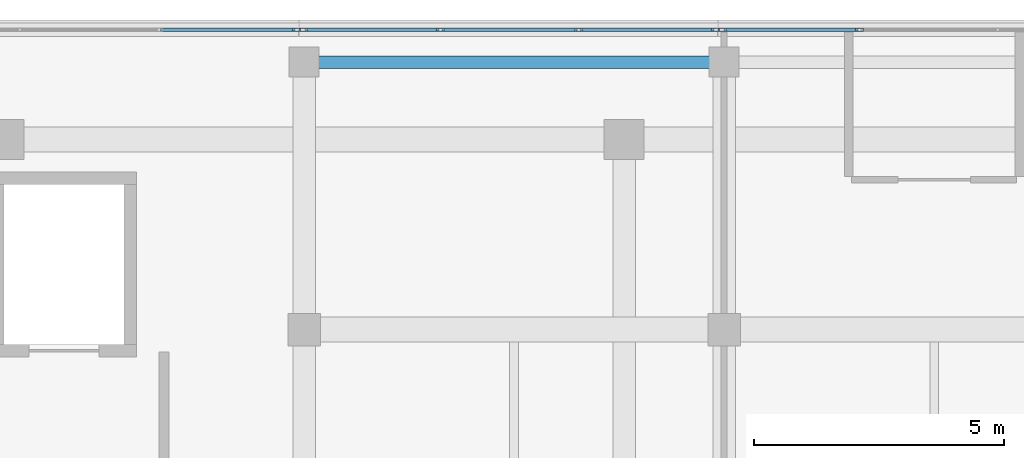
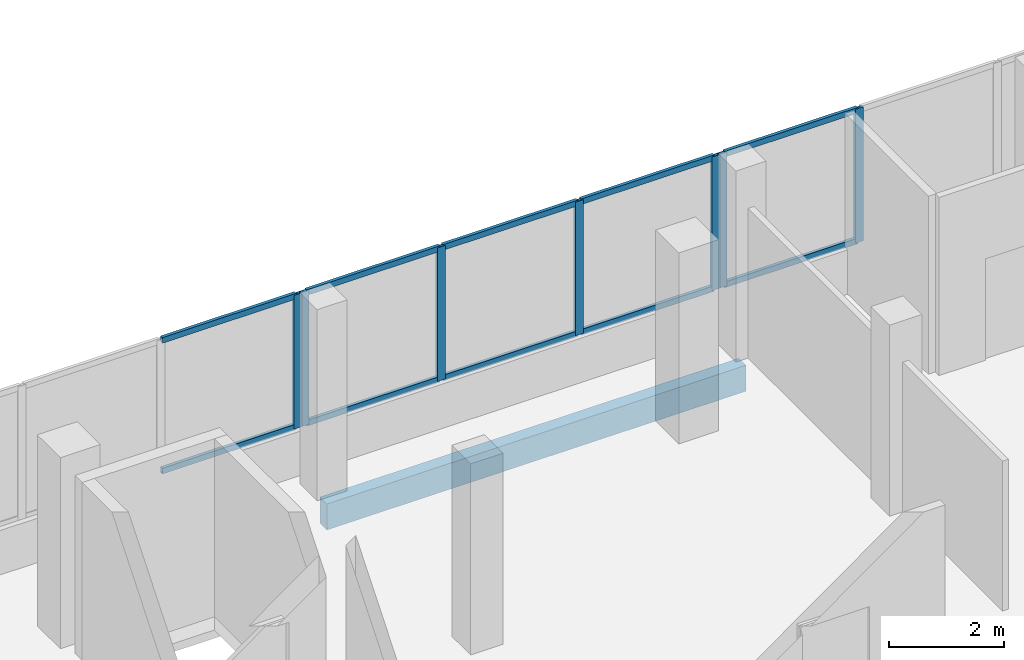
# One storey, part 29 of 78: 17 members, 1 beam, 3 elements without a shape of their own.
"""IFC4 building model written with IfcOpenShell, lengths in metres."""

from ifc_helpers import new_model, si_unit, direction, frame, origin, origin_2d, place, context, subcontext, project, spatial, rectangle, hollow_rectangle, extrude, material, material_profile, profile_set, type_object, element, aggregate, save


model = new_model("IFC4")

# Units and contexts
model_context = context("Model", 3, precision=1e-05, world=origin(), true_north=direction((0.0, 1.0)))
body_context = subcontext(model_context, "Body", "Model", "MODEL_VIEW")
ifc_project = project(units=[si_unit("LENGTHUNIT", "METRE"), si_unit("AREAUNIT", "SQUARE_METRE"), si_unit("VOLUMEUNIT", "CUBIC_METRE"), si_unit("PLANEANGLEUNIT", "RADIAN"), si_unit("MASSUNIT", "GRAM", prefix="KILO")], contexts=[model_context])

# Site, building, storey
site_placement = place(None, origin())
site = spatial("IfcSite", under=ifc_project, at=site_placement, CompositionType="ELEMENT")
building_placement = place(site_placement, origin())
building = spatial("IfcBuilding", under=site, at=building_placement, Name="Selatvlak General Hospital", CompositionType="ELEMENT")
storey_placement = place(building_placement, frame((0.0, 0.0, 23.25)))
storey = spatial("IfcBuildingStorey", under=building, at=storey_placement, Name="L05", CompositionType="ELEMENT", Elevation=23.25)

# Beam
ifc_material_1 = material(Name="Concrete C40/50", Category="concrete")
ifc_material_profile_1 = material_profile(ifc_material_1, rectangle(XDim=0.25, YDim=0.550048828125, at=origin_2d()), Name="RC-SP 250x550")
ifc_profile_set_1 = profile_set([ifc_material_profile_1], Name="Concrete C40/50")
beam_type = type_object("IfcBeamType", Name="BM-SP2", PredefinedType="SPANDREL", material=ifc_profile_set_1)
beam_placement = place(storey_placement, frame((64.800048828125, 119.35009765625, -0.554931640625), z_axis=(1.0, 0.0, 0.0), x_axis=(0.0, 1.0, 0.0)))
element("IfcBeam", 1, at=beam_placement, inside=storey, type_object=beam_type, Name="Beam BMR-L05-1977", PredefinedType="SPANDREL", context=body_context, shape_type="SweptSolid", body=[
    extrude(rectangle(XDim=0.25, YDim=0.550048828125, at=origin_2d()), origin(), (0.0, 0.0, 1.0), 8.39990234375),
])

# Curtain wall, member
ifc_material_2 = material(Name="Solar-control Low-E double glazing", Category="glass")
curtain_wall_type_1 = type_object("IfcCurtainWallType", Name="CW-CW-01", PredefinedType="USERDEFINED", material=ifc_material_2)
curtain_wall_1_placement = place(storey_placement, origin())
curtain_wall_1 = element("IfcCurtainWall", 2, at=curtain_wall_1_placement, inside=storey, type_object=curtain_wall_type_1, Name="Glazed facade curtain wall CW-L05-0551", ObjectType="UNITISED CURTAIN WALL", PredefinedType="USERDEFINED")
ifc_material_3 = material(Name="Dark anodised aluminium mullion", Category="aluminium")
ifc_material_profile_2 = material_profile(ifc_material_3, hollow_rectangle(XDim=0.06494140625, YDim=0.159912109375, WallThickness=0.00390625, at=origin_2d()), Name="AL-MUL 65x160x4")
ifc_profile_set_2 = profile_set([ifc_material_profile_2], Name="Dark anodised aluminium mullion")
member_type_1 = type_object("IfcMemberType", Name="CWM-01", PredefinedType="MULLION", material=ifc_profile_set_2)
member_1_placement = place(storey_placement, frame((64.646484375, 119.9990234375, 0.93994140625), z_axis=(0.0, 0.0, 1.0), x_axis=(0.0, 1.0, 0.0)))
member_1 = element("IfcMember", 3, at=member_1_placement, type_object=member_type_1, Name="CW-01 mullion 4", PredefinedType="MULLION", context=body_context, shape_type="SweptSolid", body=[
    extrude(hollow_rectangle(XDim=0.06494140625, YDim=0.159912109375, WallThickness=0.00390625, at=origin_2d()), origin(), (0.0, 0.0, 1.0), 2.8349609375),
])

# Curtain wall, members
curtain_wall_type_2 = type_object("IfcCurtainWallType", Name="CW-CW-02", PredefinedType="USERDEFINED", material=ifc_material_2)
curtain_wall_2_placement = place(storey_placement, origin())
curtain_wall_2 = element("IfcCurtainWall", 4, at=curtain_wall_2_placement, inside=storey, type_object=curtain_wall_type_2, Name="Glazed facade curtain wall CW-L05-0552", ObjectType="UNITISED CURTAIN WALL", PredefinedType="USERDEFINED")
member_2_placement = place(storey_placement, frame((64.79150390625, 119.9990234375, 0.93994140625), z_axis=(0.0, 0.0, 1.0), x_axis=(0.0, 1.0, 0.0)))
member_2 = element("IfcMember", 5, at=member_2_placement, type_object=member_type_1, Name="CW-02 mullion 1", PredefinedType="MULLION", context=body_context, shape_type="SweptSolid", body=[
    extrude(hollow_rectangle(XDim=0.06494140625, YDim=0.159912109375, WallThickness=0.00390625, at=origin_2d()), origin(), (0.0, 0.0, 1.0), 2.8349609375),
])
member_3_placement = place(storey_placement, frame((67.525390625, 119.9990234375, 0.93994140625), z_axis=(0.0, 0.0, 1.0), x_axis=(0.0, 1.0, 0.0)))
member_3 = element("IfcMember", 6, at=member_3_placement, type_object=member_type_1, Name="CW-02 mullion 2", PredefinedType="MULLION", context=body_context, shape_type="SweptSolid", body=[
    extrude(hollow_rectangle(XDim=0.06494140625, YDim=0.159912109375, WallThickness=0.00390625, at=origin_2d()), origin(), (0.0, 0.0, 1.0), 2.8349609375),
])
member_4_placement = place(storey_placement, frame((70.291748046875, 119.9990234375, 0.93994140625), z_axis=(0.0, 0.0, 1.0), x_axis=(0.0, 1.0, 0.0)))
member_4 = element("IfcMember", 7, at=member_4_placement, type_object=member_type_1, Name="CW-02 mullion 3", PredefinedType="MULLION", context=body_context, shape_type="SweptSolid", body=[
    extrude(hollow_rectangle(XDim=0.06494140625, YDim=0.159912109375, WallThickness=0.00390625, at=origin_2d()), origin(), (0.0, 0.0, 1.0), 2.8349609375),
])
member_5_placement = place(storey_placement, frame((73.025390625, 119.9990234375, 0.93994140625), z_axis=(0.0, 0.0, 1.0), x_axis=(0.0, 1.0, 0.0)))
member_5 = element("IfcMember", 8, at=member_5_placement, type_object=member_type_1, Name="CW-02 mullion 4", PredefinedType="MULLION", context=body_context, shape_type="SweptSolid", body=[
    extrude(hollow_rectangle(XDim=0.06494140625, YDim=0.159912109375, WallThickness=0.00390625, at=origin_2d()), origin(), (0.0, 0.0, 1.0), 2.8349609375),
])

curtain_wall_3_placement = place(storey_placement, origin())
curtain_wall_3 = element("IfcCurtainWall", 9, at=curtain_wall_3_placement, inside=storey, type_object=curtain_wall_type_1, Name="Glazed facade curtain wall CW-L05-0553", ObjectType="UNITISED CURTAIN WALL", PredefinedType="USERDEFINED")
member_6_placement = place(storey_placement, frame((73.17041015625, 119.9990234375, 0.93994140625), z_axis=(0.0, 0.0, 1.0), x_axis=(0.0, 1.0, 0.0)))
member_6 = element("IfcMember", 10, at=member_6_placement, type_object=member_type_1, Name="CW-01 mullion 1", PredefinedType="MULLION", context=body_context, shape_type="SweptSolid", body=[
    extrude(hollow_rectangle(XDim=0.06494140625, YDim=0.159912109375, WallThickness=0.00390625, at=origin_2d()), origin(), (0.0, 0.0, 1.0), 2.8349609375),
])
member_7_placement = place(storey_placement, frame((75.904296875, 119.9990234375, 0.93994140625), z_axis=(0.0, 0.0, 1.0), x_axis=(0.0, 1.0, 0.0)))
member_7 = element("IfcMember", 11, at=member_7_placement, type_object=member_type_1, Name="CW-01 mullion 2", PredefinedType="MULLION", context=body_context, shape_type="SweptSolid", body=[
    extrude(hollow_rectangle(XDim=0.06494140625, YDim=0.159912109375, WallThickness=0.00390625, at=origin_2d()), origin(), (0.0, 0.0, 1.0), 2.8349609375),
])

# Member
ifc_material_profile_3 = material_profile(ifc_material_3, hollow_rectangle(XDim=0.06494140625, YDim=0.1201171875, WallThickness=0.00390625, at=origin_2d()), Name="AL-TRN 65x120x4")
ifc_profile_set_3 = profile_set([ifc_material_profile_3], Name="Dark anodised aluminium mullion")
member_type_2 = type_object("IfcMemberType", Name="CWT-01", PredefinedType="USERDEFINED", material=ifc_profile_set_3)
member_8_placement = place(storey_placement, frame((61.928955078125, 119.9990234375, 0.972412109375), z_axis=(1.0, 0.0, 0.0), x_axis=(0.0, 1.0, 0.0)))
member_8 = element("IfcMember", 12, at=member_8_placement, type_object=member_type_2, Name="CW-01 transom 3.1", ObjectType="TRANSOM", PredefinedType="USERDEFINED", context=body_context, shape_type="SweptSolid", body=[
    extrude(hollow_rectangle(XDim=0.06494140625, YDim=0.1201171875, WallThickness=0.00390625, at=origin_2d()), origin(), (0.0, 0.0, 1.0), 2.68505859375),
])

member_9_placement = place(storey_placement, frame((61.928955078125, 119.9990234375, 3.742431640625), z_axis=(1.0, 0.0, 0.0), x_axis=(0.0, 1.0, 0.0)))
member_9 = element("IfcMember", 13, at=member_9_placement, type_object=member_type_2, Name="CW-01 transom 3.2", ObjectType="TRANSOM", PredefinedType="USERDEFINED", context=body_context, shape_type="SweptSolid", body=[
    extrude(hollow_rectangle(XDim=0.06494140625, YDim=0.1201171875, WallThickness=0.00390625, at=origin_2d()), origin(), (0.0, 0.0, 1.0), 2.68505859375),
])

aggregate(curtain_wall_1, [member_1, member_8, member_9])

member_10_placement = place(storey_placement, frame((64.823974609375, 119.9990234375, 0.972412109375), z_axis=(1.0, 0.0, 0.0), x_axis=(0.0, 1.0, 0.0)))
member_10 = element("IfcMember", 14, at=member_10_placement, type_object=member_type_2, Name="CW-02 transom 1.1", ObjectType="TRANSOM", PredefinedType="USERDEFINED", context=body_context, shape_type="SweptSolid", body=[
    extrude(hollow_rectangle(XDim=0.06494140625, YDim=0.1201171875, WallThickness=0.00390625, at=origin_2d()), origin(), (0.0, 0.0, 1.0), 2.6689453125),
])

member_11_placement = place(storey_placement, frame((64.823974609375, 119.9990234375, 3.742431640625), z_axis=(1.0, 0.0, 0.0), x_axis=(0.0, 1.0, 0.0)))
member_11 = element("IfcMember", 15, at=member_11_placement, type_object=member_type_2, Name="CW-02 transom 1.2", ObjectType="TRANSOM", PredefinedType="USERDEFINED", context=body_context, shape_type="SweptSolid", body=[
    extrude(hollow_rectangle(XDim=0.06494140625, YDim=0.1201171875, WallThickness=0.00390625, at=origin_2d()), origin(), (0.0, 0.0, 1.0), 2.6689453125),
])

member_12_placement = place(storey_placement, frame((67.557861328125, 119.9990234375, 0.972412109375), z_axis=(1.0, 0.0, 0.0), x_axis=(0.0, 1.0, 0.0)))
member_12 = element("IfcMember", 16, at=member_12_placement, type_object=member_type_2, Name="CW-02 transom 2.1", ObjectType="TRANSOM", PredefinedType="USERDEFINED", context=body_context, shape_type="SweptSolid", body=[
    extrude(hollow_rectangle(XDim=0.06494140625, YDim=0.1201171875, WallThickness=0.00390625, at=origin_2d()), origin(), (0.0, 0.0, 1.0), 2.701416015625),
])

member_13_placement = place(storey_placement, frame((67.557861328125, 119.9990234375, 3.742431640625), z_axis=(1.0, 0.0, 0.0), x_axis=(0.0, 1.0, 0.0)))
member_13 = element("IfcMember", 17, at=member_13_placement, type_object=member_type_2, Name="CW-02 transom 2.2", ObjectType="TRANSOM", PredefinedType="USERDEFINED", context=body_context, shape_type="SweptSolid", body=[
    extrude(hollow_rectangle(XDim=0.06494140625, YDim=0.1201171875, WallThickness=0.00390625, at=origin_2d()), origin(), (0.0, 0.0, 1.0), 2.701416015625),
])

member_14_placement = place(storey_placement, frame((70.32421875, 119.9990234375, 0.972412109375), z_axis=(1.0, 0.0, 0.0), x_axis=(0.0, 1.0, 0.0)))
member_14 = element("IfcMember", 18, at=member_14_placement, type_object=member_type_2, Name="CW-02 transom 3.1", ObjectType="TRANSOM", PredefinedType="USERDEFINED", context=body_context, shape_type="SweptSolid", body=[
    extrude(hollow_rectangle(XDim=0.06494140625, YDim=0.1201171875, WallThickness=0.00390625, at=origin_2d()), origin(), (0.0, 0.0, 1.0), 2.668701171875),
])

member_15_placement = place(storey_placement, frame((70.32421875, 119.9990234375, 3.742431640625), z_axis=(1.0, 0.0, 0.0), x_axis=(0.0, 1.0, 0.0)))
member_15 = element("IfcMember", 19, at=member_15_placement, type_object=member_type_2, Name="CW-02 transom 3.2", ObjectType="TRANSOM", PredefinedType="USERDEFINED", context=body_context, shape_type="SweptSolid", body=[
    extrude(hollow_rectangle(XDim=0.06494140625, YDim=0.1201171875, WallThickness=0.00390625, at=origin_2d()), origin(), (0.0, 0.0, 1.0), 2.668701171875),
])

aggregate(curtain_wall_2, [member_2, member_3, member_4, member_5, member_10, member_11, member_12, member_13, member_14, member_15])

member_16_placement = place(storey_placement, frame((73.202880859375, 119.9990234375, 0.972412109375), z_axis=(1.0, 0.0, 0.0), x_axis=(0.0, 1.0, 0.0)))
member_16 = element("IfcMember", 20, at=member_16_placement, type_object=member_type_2, Name="CW-01 transom 1.1", ObjectType="TRANSOM", PredefinedType="USERDEFINED", context=body_context, shape_type="SweptSolid", body=[
    extrude(hollow_rectangle(XDim=0.06494140625, YDim=0.1201171875, WallThickness=0.00390625, at=origin_2d()), origin(), (0.0, 0.0, 1.0), 2.6689453125),
])

member_17_placement = place(storey_placement, frame((73.202880859375, 119.9990234375, 3.742431640625), z_axis=(1.0, 0.0, 0.0), x_axis=(0.0, 1.0, 0.0)))
member_17 = element("IfcMember", 21, at=member_17_placement, type_object=member_type_2, Name="CW-01 transom 1.2", ObjectType="TRANSOM", PredefinedType="USERDEFINED", context=body_context, shape_type="SweptSolid", body=[
    extrude(hollow_rectangle(XDim=0.06494140625, YDim=0.1201171875, WallThickness=0.00390625, at=origin_2d()), origin(), (0.0, 0.0, 1.0), 2.6689453125),
])

aggregate(curtain_wall_3, [member_6, member_7, member_16, member_17])

save(model, "model.ifc")
